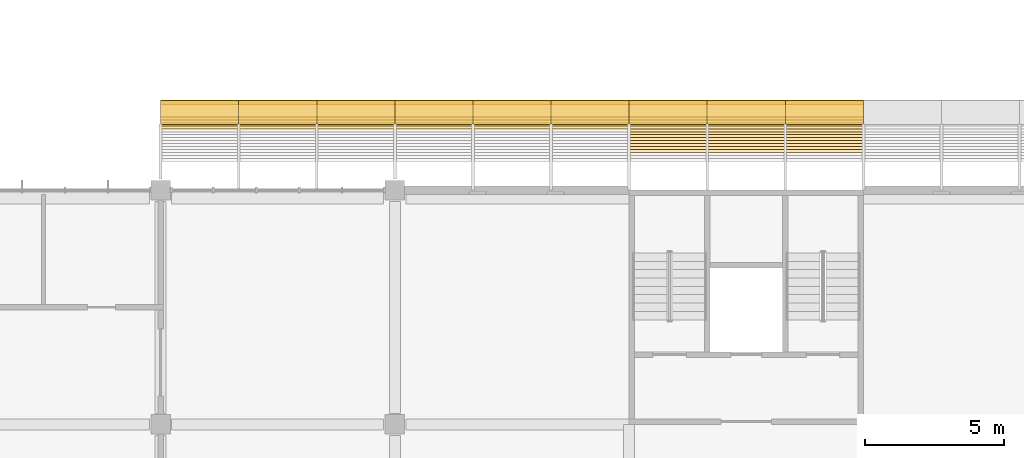
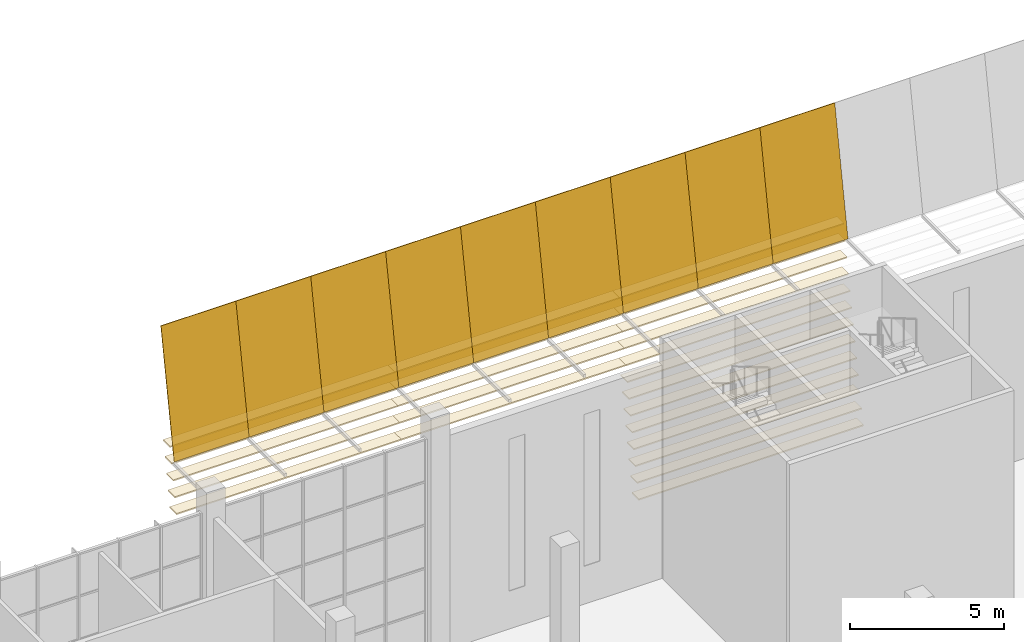
# One storey, part 107 of 114: 32 coverings.
"""IFC4 building model written with IfcOpenShell, lengths in metres."""

from ifc_helpers import new_model, si_unit, direction, frame, origin, origin_2d, place, context, subcontext, project, spatial, polyline, rectangle, outline, extrude, material, layer, layer_set, material_profile, profile_set, type_object, element, save


model = new_model("IFC4")

# Units and contexts
model_context = context("Model", 3, precision=1e-05, world=origin(), true_north=direction((0.0, 1.0)))
body_context = subcontext(model_context, "Body", "Model", "MODEL_VIEW")
ifc_project = project(units=[si_unit("LENGTHUNIT", "METRE"), si_unit("AREAUNIT", "SQUARE_METRE"), si_unit("VOLUMEUNIT", "CUBIC_METRE"), si_unit("PLANEANGLEUNIT", "RADIAN"), si_unit("MASSUNIT", "GRAM", prefix="KILO")], contexts=[model_context])

# Site, building, storey
site_placement = place(None, origin())
site = spatial("IfcSite", under=ifc_project, at=site_placement, CompositionType="ELEMENT")
building_placement = place(site_placement, origin())
building = spatial("IfcBuilding", under=site, at=building_placement, Name="Almond Square Museum", CompositionType="ELEMENT")
storey_placement = place(building_placement, frame((0.0, 0.0, 10.5)))
storey = spatial("IfcBuildingStorey", under=building, at=storey_placement, Name="L02", CompositionType="ELEMENT", Elevation=10.5)

# Coverings
ifc_material_1 = material(Name="Cedar timber louvre board", Category="wood")
ifc_material_profile = material_profile(ifc_material_1, rectangle(XDim=0.449951171875, YDim=0.050048828125, at=origin_2d()))
ifc_profile_set = profile_set([ifc_material_profile], Name="Cedar timber louvre board")
covering_type_1 = type_object("IfcCoveringType", Name="Louvre board 450 x 50", PredefinedType="CLADDING", material=ifc_profile_set)
for number, where, z_axis, x_axis, name in (
    (1, (123.60009765625, 110.776123046875, 2.199951171875), (1.0, 0.0, 0.0), (0.0, 1.0, 0.0), "Louvre board N10.03"),
    (2, (123.60009765625, 110.8818359375, 2.800048828125), (1.0, 0.0, 0.0), (0.0, 1.0, 0.0), "Louvre board N11.03"),
    (3, (123.60009765625, 110.987548828125, 3.39990234375), (1.0, 0.0, 0.0), (0.0, 1.0, 0.0), "Louvre board N12.03"),
    (4, (123.60009765625, 111.093505859375, 4.0), (1.0, 0.0, 0.0), (0.0, 1.0, 0.0), "Louvre board N13.03"),
    (5, (123.60009765625, 111.19921875, 4.60009765625), (1.0, 0.0, 0.0), (0.0, 1.0, 0.0), "Louvre board N14.03"),
    (6, (123.60009765625, 111.304931640625, 5.199951171875), (1.0, 0.0, 0.0), (0.0, 1.0, 0.0), "Louvre board N15.03"),
    (7, (123.60009765625, 111.410888671875, 5.800048828125), (1.0, 0.0, 0.0), (0.0, 1.0, 0.0), "Louvre board N16.03"),
    (8, (123.60009765625, 111.5166015625, 6.39990234375), (1.0, 0.0, 0.0), (0.0, 1.0, 0.0), "Louvre board N17.03"),
    (9, (106.800048828125, 111.622314453125, 7.0), (1.0, 0.0, 0.0), (0.0, 1.0, 0.0), "Louvre board N18.01"),
):
    element("IfcCovering", number, at=place(storey_placement, frame(where, z_axis=z_axis, x_axis=x_axis)), inside=storey, type_object=covering_type_1, Name=name, PredefinedType="CLADDING", context=body_context, shape_type="SweptSolid", body=[
        extrude(rectangle(XDim=0.449951171875, YDim=0.050048828125, at=origin_2d()), origin(), (0.0, 0.0, 1.0), 8.39990234375),
    ])
covering_1_placement = place(storey_placement, frame((115.199951171875, 111.622314453125, 7.0), z_axis=(1.0, 0.0, 0.0), x_axis=(0.0, 1.0, 0.0)))
element("IfcCovering", 10, at=covering_1_placement, inside=storey, type_object=covering_type_1, Name="Louvre board N18.02", PredefinedType="CLADDING", context=body_context, shape_type="SweptSolid", body=[
    extrude(rectangle(XDim=0.449951171875, YDim=0.050048828125, at=origin_2d()), origin(), (0.0, 0.0, 1.0), 8.400146484375),
])
for number, where, z_axis, x_axis, name in (
    (11, (123.60009765625, 111.622314453125, 7.0), (1.0, 0.0, 0.0), (0.0, 1.0, 0.0), "Louvre board N18.03"),
    (12, (106.800048828125, 111.728271484375, 7.60009765625), (1.0, 0.0, 0.0), (0.0, 1.0, 0.0), "Louvre board N19.01"),
):
    element("IfcCovering", number, at=place(storey_placement, frame(where, z_axis=z_axis, x_axis=x_axis)), inside=storey, type_object=covering_type_1, Name=name, PredefinedType="CLADDING", context=body_context, shape_type="SweptSolid", body=[
        extrude(rectangle(XDim=0.449951171875, YDim=0.050048828125, at=origin_2d()), origin(), (0.0, 0.0, 1.0), 8.39990234375),
    ])
covering_2_placement = place(storey_placement, frame((115.199951171875, 111.728271484375, 7.60009765625), z_axis=(1.0, 0.0, 0.0), x_axis=(0.0, 1.0, 0.0)))
element("IfcCovering", 13, at=covering_2_placement, inside=storey, type_object=covering_type_1, Name="Louvre board N19.02", PredefinedType="CLADDING", context=body_context, shape_type="SweptSolid", body=[
    extrude(rectangle(XDim=0.449951171875, YDim=0.050048828125, at=origin_2d()), origin(), (0.0, 0.0, 1.0), 8.400146484375),
])
for number, where, z_axis, x_axis, name in (
    (14, (123.60009765625, 111.728271484375, 7.60009765625), (1.0, 0.0, 0.0), (0.0, 1.0, 0.0), "Louvre board N19.03"),
    (15, (106.800048828125, 111.833984375, 8.199951171875), (1.0, 0.0, 0.0), (0.0, 1.0, 0.0), "Louvre board N20.01"),
):
    element("IfcCovering", number, at=place(storey_placement, frame(where, z_axis=z_axis, x_axis=x_axis)), inside=storey, type_object=covering_type_1, Name=name, PredefinedType="CLADDING", context=body_context, shape_type="SweptSolid", body=[
        extrude(rectangle(XDim=0.449951171875, YDim=0.050048828125, at=origin_2d()), origin(), (0.0, 0.0, 1.0), 8.39990234375),
    ])
covering_3_placement = place(storey_placement, frame((115.199951171875, 111.833984375, 8.199951171875), z_axis=(1.0, 0.0, 0.0), x_axis=(0.0, 1.0, 0.0)))
element("IfcCovering", 16, at=covering_3_placement, inside=storey, type_object=covering_type_1, Name="Louvre board N20.02", PredefinedType="CLADDING", context=body_context, shape_type="SweptSolid", body=[
    extrude(rectangle(XDim=0.449951171875, YDim=0.050048828125, at=origin_2d()), origin(), (0.0, 0.0, 1.0), 8.400146484375),
])
for number, where, z_axis, x_axis, name in (
    (17, (123.60009765625, 111.833984375, 8.199951171875), (1.0, 0.0, 0.0), (0.0, 1.0, 0.0), "Louvre board N20.03"),
    (18, (106.800048828125, 111.939697265625, 8.800048828125), (1.0, 0.0, 0.0), (0.0, 1.0, 0.0), "Louvre board N21.01"),
):
    element("IfcCovering", number, at=place(storey_placement, frame(where, z_axis=z_axis, x_axis=x_axis)), inside=storey, type_object=covering_type_1, Name=name, PredefinedType="CLADDING", context=body_context, shape_type="SweptSolid", body=[
        extrude(rectangle(XDim=0.449951171875, YDim=0.050048828125, at=origin_2d()), origin(), (0.0, 0.0, 1.0), 8.39990234375),
    ])
covering_4_placement = place(storey_placement, frame((115.199951171875, 111.939697265625, 8.800048828125), z_axis=(1.0, 0.0, 0.0), x_axis=(0.0, 1.0, 0.0)))
element("IfcCovering", 19, at=covering_4_placement, inside=storey, type_object=covering_type_1, Name="Louvre board N21.02", PredefinedType="CLADDING", context=body_context, shape_type="SweptSolid", body=[
    extrude(rectangle(XDim=0.449951171875, YDim=0.050048828125, at=origin_2d()), origin(), (0.0, 0.0, 1.0), 8.400146484375),
])
for number, where, z_axis, x_axis, name in (
    (20, (123.60009765625, 111.939697265625, 8.800048828125), (1.0, 0.0, 0.0), (0.0, 1.0, 0.0), "Louvre board N21.03"),
    (21, (106.800048828125, 112.045654296875, 9.39990234375), (1.0, 0.0, 0.0), (0.0, 1.0, 0.0), "Louvre board N22.01"),
):
    element("IfcCovering", number, at=place(storey_placement, frame(where, z_axis=z_axis, x_axis=x_axis)), inside=storey, type_object=covering_type_1, Name=name, PredefinedType="CLADDING", context=body_context, shape_type="SweptSolid", body=[
        extrude(rectangle(XDim=0.449951171875, YDim=0.050048828125, at=origin_2d()), origin(), (0.0, 0.0, 1.0), 8.39990234375),
    ])
covering_5_placement = place(storey_placement, frame((115.199951171875, 112.045654296875, 9.39990234375), z_axis=(1.0, 0.0, 0.0), x_axis=(0.0, 1.0, 0.0)))
element("IfcCovering", 22, at=covering_5_placement, inside=storey, type_object=covering_type_1, Name="Louvre board N22.02", PredefinedType="CLADDING", context=body_context, shape_type="SweptSolid", body=[
    extrude(rectangle(XDim=0.449951171875, YDim=0.050048828125, at=origin_2d()), origin(), (0.0, 0.0, 1.0), 8.400146484375),
])
covering_6_placement = place(storey_placement, frame((123.60009765625, 112.045654296875, 9.39990234375), z_axis=(1.0, 0.0, 0.0), x_axis=(0.0, 1.0, 0.0)))
element("IfcCovering", 23, at=covering_6_placement, inside=storey, type_object=covering_type_1, Name="Louvre board N22.03", PredefinedType="CLADDING", context=body_context, shape_type="SweptSolid", body=[
    extrude(rectangle(XDim=0.449951171875, YDim=0.050048828125, at=origin_2d()), origin(), (0.0, 0.0, 1.0), 8.39990234375),
])
ifc_material_2 = material(Name="Cedar timber sheathing panel", Category="wood")
ifc_layer = layer(ifc_material_2, 0.030029296875)
ifc_layer_set = layer_set([ifc_layer], Name="Cedar timber sheathing panel")
covering_type_2 = type_object("IfcCoveringType", Name="Louvre rain-screen backing panel 30", PredefinedType="CLADDING", material=ifc_layer_set)
covering_7_placement = place(storey_placement, frame((106.800048828125, 111.564697265625, 8.969970703125), z_axis=(0.0, -0.984808947576, 0.173641402823), x_axis=(1.0, 0.0, 0.0)))
element("IfcCovering", 24, at=covering_7_placement, inside=storey, type_object=covering_type_2, Name="Louvre rain-screen backing panel N01.05", PredefinedType="CLADDING", context=body_context, shape_type="SweptSolid", body=[
    extrude(outline(polyline([(0.0, 0.0), (2.800048828125, 0.0), (2.800048828125, 4.935076426587713), (0.0, 4.935076426587713), (0.0, 0.0)])), frame((0.0, 0.0, -0.01513671875)), (0.0, 0.0, 1.0), 0.030029296875),
])
covering_8_placement = place(storey_placement, frame((109.60009765625, 111.564697265625, 8.969970703125), z_axis=(0.0, -0.984808947576, 0.173641402823), x_axis=(1.0, 0.0, 0.0)))
element("IfcCovering", 25, at=covering_8_placement, inside=storey, type_object=covering_type_2, Name="Louvre rain-screen backing panel N02.05", PredefinedType="CLADDING", context=body_context, shape_type="SweptSolid", body=[
    extrude(outline(polyline([(0.0, 0.0), (2.7998046875, 0.0), (2.7998046875, 4.935076426587713), (0.0, 4.935076426587713), (0.0, 0.0)])), frame((0.0, 0.0, -0.01513671875)), (0.0, 0.0, 1.0), 0.030029296875),
])
for number, where, z_axis, x_axis, name in (
    (26, (112.39990234375, 111.564697265625, 8.969970703125), (0.0, -0.984808947576, 0.173641402823), (1.0, 0.0, 0.0), "Louvre rain-screen backing panel N03.05"),
    (27, (115.199951171875, 111.564697265625, 8.969970703125), (0.0, -0.984808947576, 0.173641402823), (1.0, 0.0, 0.0), "Louvre rain-screen backing panel N04.05"),
    (28, (118.0, 111.564697265625, 8.969970703125), (0.0, -0.984808947576, 0.173641402823), (1.0, 0.0, 0.0), "Louvre rain-screen backing panel N05.05"),
    (29, (120.800048828125, 111.564697265625, 8.969970703125), (0.0, -0.984808947576, 0.173641402823), (1.0, 0.0, 0.0), "Louvre rain-screen backing panel N06.05"),
):
    element("IfcCovering", number, at=place(storey_placement, frame(where, z_axis=z_axis, x_axis=x_axis)), inside=storey, type_object=covering_type_2, Name=name, PredefinedType="CLADDING", context=body_context, shape_type="SweptSolid", body=[
        extrude(outline(polyline([(0.0, 0.0), (2.800048828125, 0.0), (2.800048828125, 4.935076426587713), (0.0, 4.935076426587713), (0.0, 0.0)])), frame((0.0, 0.0, -0.01513671875)), (0.0, 0.0, 1.0), 0.030029296875),
    ])
covering_9_placement = place(storey_placement, frame((123.60009765625, 111.564697265625, 8.969970703125), z_axis=(0.0, -0.984808947576, 0.173641402823), x_axis=(1.0, 0.0, 0.0)))
element("IfcCovering", 30, at=covering_9_placement, inside=storey, type_object=covering_type_2, Name="Louvre rain-screen backing panel N07.05", PredefinedType="CLADDING", context=body_context, shape_type="SweptSolid", body=[
    extrude(outline(polyline([(0.0, 0.0), (2.7998046875, 0.0), (2.7998046875, 4.935076426587713), (0.0, 4.935076426587713), (0.0, 0.0)])), frame((0.0, 0.0, -0.01513671875)), (0.0, 0.0, 1.0), 0.030029296875),
])
for number, where, z_axis, x_axis, name in (
    (31, (126.39990234375, 111.564697265625, 8.969970703125), (0.0, -0.984808947576, 0.173641402823), (1.0, 0.0, 0.0), "Louvre rain-screen backing panel N08.05"),
    (32, (129.199951171875, 111.564697265625, 8.969970703125), (0.0, -0.984808947576, 0.173641402823), (1.0, 0.0, 0.0), "Louvre rain-screen backing panel N09.05"),
):
    element("IfcCovering", number, at=place(storey_placement, frame(where, z_axis=z_axis, x_axis=x_axis)), inside=storey, type_object=covering_type_2, Name=name, PredefinedType="CLADDING", context=body_context, shape_type="SweptSolid", body=[
        extrude(outline(polyline([(0.0, 0.0), (2.800048828125, 0.0), (2.800048828125, 4.935076426587713), (0.0, 4.935076426587713), (0.0, 0.0)])), frame((0.0, 0.0, -0.01513671875)), (0.0, 0.0, 1.0), 0.030029296875),
    ])

save(model, "model.ifc")
